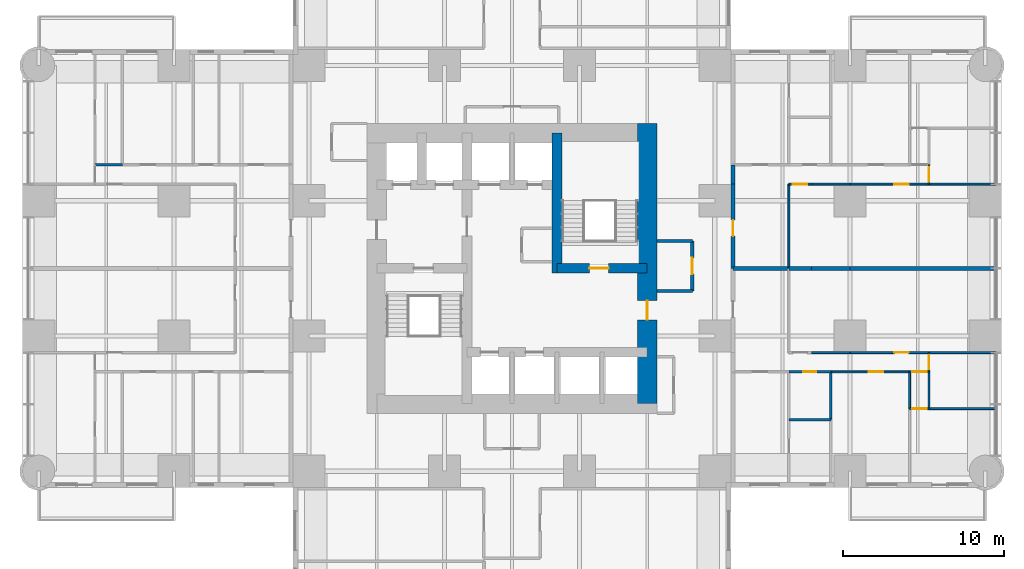
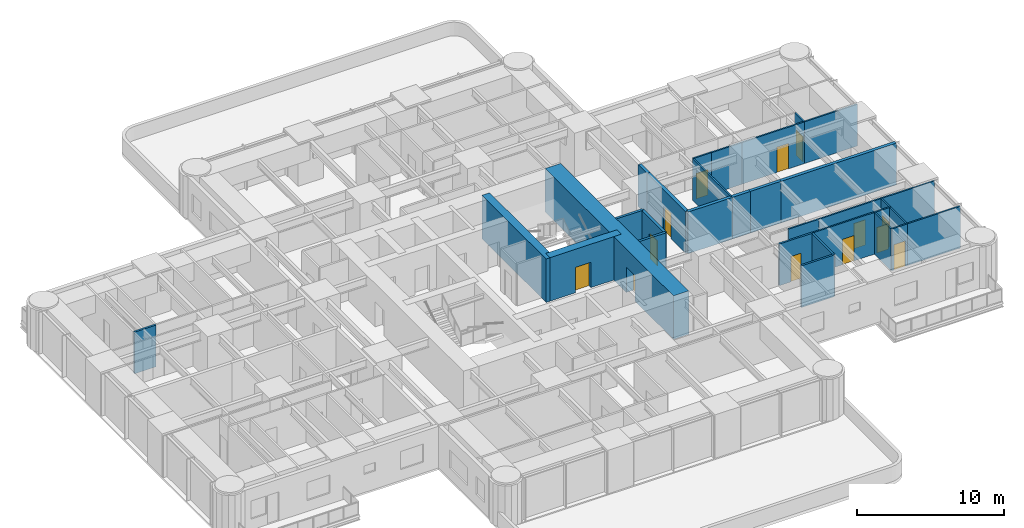
# One storey, part 9 of 14: 32 walls, 13 doors, 13 openings.
"""IFC4 building model written with IfcOpenShell, lengths in metres."""

import ifcopenshell
import ifcopenshell.guid

model = None  # the IFC model being written
_history = None  # IfcOwnerHistory: only IFC2X3 demands one
_inside = {}  # id of a spatial element -> (the spatial element, [elements in it])
_under = {}  # id of a project, library or spatial element -> (it, [spatial elements below it])
_declared = {}  # id of a project -> (the project, [libraries it declares])
_typed = {}  # id of a type object -> (the type object, [elements of that type])
_made_of = {}  # id of a material, layer set ... -> (it, [elements and type objects made of it])


def new_model(schema):
    """Start an empty IFC model of exactly this schema.

    Asked for "IFC4X3", IfcOpenShell would pick the latest addendum, in which some entities
    have other attributes; the version numbers below select the first issue.
    IFC2X3 requires an IfcOwnerHistory on every rooted entity: one is made here for all.
    """
    global model, _history
    if schema == "IFC4X3":
        model = ifcopenshell.file(schema_version=(4, 3, 0, 0))
    else:
        model = ifcopenshell.file(schema=schema)
    _inside.clear()
    _under.clear()
    _declared.clear()
    _typed.clear()
    _made_of.clear()
    _history = None
    if model.schema == "IFC2X3":
        org = make("IfcOrganization", Name="unknown")
        user = make(
            "IfcPersonAndOrganization",
            ThePerson=make("IfcPerson", FamilyName="unknown"),
            TheOrganization=org,
        )
        app = make(
            "IfcApplication",
            ApplicationDeveloper=org,
            Version="unknown",
            ApplicationFullName="unknown",
            ApplicationIdentifier="unknown",
        )
        _history = make(
            "IfcOwnerHistory",
            OwningUser=user,
            OwningApplication=app,
            ChangeAction="ADDED",
            CreationDate=0,
        )
    return model


def make(cls, **values):
    """One entity of the class cls with the attributes given. An attribute that is None is left unset."""
    return model.create_entity(
        cls, **{name: value for name, value in values.items() if value is not None}
    )


def rooted(cls, **values):
    """An entity with a GlobalId (a new one), such as an element, a storey or a relation."""
    return make(cls, GlobalId=ifcopenshell.guid.new(), OwnerHistory=_history, **values)


def si_unit(unit_type, name, prefix=None):
    """IfcSIUnit, for example si_unit("LENGTHUNIT", "METRE", prefix="MILLI")."""
    return make("IfcSIUnit", UnitType=unit_type, Prefix=prefix, Name=name)


def assignment(units):
    """IfcUnitAssignment: the units of a project."""
    return None if units is None else make("IfcUnitAssignment", Units=units)


def point(xyz):
    """IfcCartesianPoint."""
    return None if xyz is None else make("IfcCartesianPoint", Coordinates=xyz)


def direction(xyz):
    """IfcDirection."""
    return None if xyz is None else make("IfcDirection", DirectionRatios=xyz)


def frame(location, z_axis=None, x_axis=None):
    """IfcAxis2Placement3D, a coordinate frame: its origin and axes. An axis left out is left unset."""
    return make(
        "IfcAxis2Placement3D",
        Location=point(location),
        Axis=direction(z_axis),
        RefDirection=direction(x_axis),
    )


def frame_2d(location, x_axis=None):
    """IfcAxis2Placement2D, a coordinate frame in the plane: its origin and x axis."""
    return make(
        "IfcAxis2Placement2D", Location=point(location), RefDirection=direction(x_axis)
    )


def origin():
    """The frame at (0, 0, 0) with its axes left unset."""
    return frame((0.0, 0.0, 0.0))


def place(relative_to, where):
    """IfcLocalPlacement: puts the frame where relative to a parent placement (None: the world)."""
    return make(
        "IfcLocalPlacement", PlacementRelTo=relative_to, RelativePlacement=where
    )


def context(
    kind, dimensions, precision=None, world=None, true_north=None, identifier=None
):
    """IfcGeometricRepresentationContext, for example the 3D "Model" context."""
    return make(
        "IfcGeometricRepresentationContext",
        ContextIdentifier=identifier,
        ContextType=kind,
        CoordinateSpaceDimension=dimensions,
        Precision=precision,
        WorldCoordinateSystem=world,
        TrueNorth=true_north,
    )


def subcontext(parent, identifier, kind, view, scale=None):
    """IfcGeometricRepresentationSubContext, for example "Body" below "Model"."""
    return make(
        "IfcGeometricRepresentationSubContext",
        ContextIdentifier=identifier,
        ContextType=kind,
        ParentContext=parent,
        TargetScale=scale,
        TargetView=view,
    )


def project(units=None, contexts=None):
    """IfcProject with its units and contexts."""
    return rooted(
        "IfcProject",
        Name="project",
        RepresentationContexts=contexts,
        UnitsInContext=assignment(units),
    )


def spatial(cls, under=None, at=None, **own):
    """A site, building, storey or space (cls), placed at a placement, below another one or the project."""
    s = rooted(cls, ObjectPlacement=at, **own)
    if under is not None:
        _under.setdefault(under.id(), (under, []))[1].append(s)
    return s


def profile(cls, at=None, kind="AREA", **sizes):
    """A parametric profile (cls). Its sizes go by their IFC names, for example OverallWidth=200.0."""
    return make(cls, ProfileType=kind, Position=at, **sizes)


def rectangle(**sizes):
    """IfcRectangleProfileDef."""
    return profile("IfcRectangleProfileDef", **sizes)


def extrude(swept, where, along, depth):
    """IfcExtrudedAreaSolid: the profile swept, set in the frame where, extruded along a direction by depth."""
    return make(
        "IfcExtrudedAreaSolid",
        SweptArea=swept,
        Position=where,
        ExtrudedDirection=direction(along),
        Depth=depth,
    )


def shape(context_of_items, identifier, shape_type, items):
    """IfcShapeRepresentation: the items that make up one representation, for example the "Body"."""
    return make(
        "IfcShapeRepresentation",
        ContextOfItems=context_of_items,
        RepresentationIdentifier=identifier,
        RepresentationType=shape_type,
        Items=items,
    )


def material(Name=None, Category=None):
    """IfcMaterial."""
    return make("IfcMaterial", Name=Name, Category=Category)


def layer(
    of_material, thickness, ventilated=None, Name=None, Category=None, Priority=None
):
    """IfcMaterialLayer: one layer of a wall or slab, of a material (None: an air gap)."""
    return make(
        "IfcMaterialLayer",
        Material=of_material,
        LayerThickness=thickness,
        IsVentilated=ventilated,
        Name=Name,
        Category=Category,
        Priority=Priority,
    )


def layer_set(layers, Name=None):
    """IfcMaterialLayerSet."""
    return make("IfcMaterialLayerSet", MaterialLayers=layers, LayerSetName=Name)


def made_of(thing, what):
    """Note that an element or type object is made of a material, layer set ...; save() writes the relation."""
    if what is not None:
        _made_of.setdefault(what.id(), (what, []))[1].append(thing)
    return thing


def type_object(cls, material=None, **own):
    """A type object (cls), such as IfcWallType, which elements share."""
    return made_of(rooted(cls, **own), material)


def element(
    cls,
    number,
    at=None,
    inside=None,
    cuts=None,
    type_object=None,
    material=None,
    context=None,
    identifier="Body",
    shape_type=None,
    held_by="IfcProductDefinitionShape",
    body=None,
    shapes=None,
    **own,
):
    """One element of the class cls, such as IfcWall. Its Tag is "e" and its number.

    at: its placement. inside: the storey or other place that contains it. cuts: it is an
    opening in that element (IfcRelVoidsElement). A single representation is given by context,
    identifier, shape_type and body (its items); several are given by shapes. held_by: the class
    of the entity that holds the representations. save() writes the other relations.
    """
    e = rooted(cls, Tag="e%d" % number, ObjectPlacement=at, **own)
    if body is not None:
        shapes = [shape(context, identifier, shape_type, body)]
    if shapes is not None:
        e.Representation = make(held_by, Representations=shapes)
    if inside is not None:
        _inside.setdefault(inside.id(), (inside, []))[1].append(e)
    if cuts is not None:
        rooted(
            "IfcRelVoidsElement", RelatingBuildingElement=cuts, RelatedOpeningElement=e
        )
    if type_object is not None:
        _typed.setdefault(type_object.id(), (type_object, []))[1].append(e)
    return made_of(e, material)


def fill(opening, filler):
    """IfcRelFillsElement: the door or window that sits in an opening."""
    return rooted(
        "IfcRelFillsElement",
        RelatingOpeningElement=opening,
        RelatedBuildingElement=filler,
    )


def aggregate(whole, parts):
    """IfcRelAggregates: a whole, such as a stair, and the parts it consists of."""
    return rooted("IfcRelAggregates", RelatingObject=whole, RelatedObjects=parts)


def save(model, path):
    """Write the relations noted so far, then the file.

    IfcRelAggregates (storeys below a building ...), IfcRelContainedInSpatialStructure (elements
    in a storey), IfcRelDefinesByType, IfcRelAssociatesMaterial and IfcRelDeclares: one each for
    every whole, place, type object, material and project.
    """
    for whole, parts in _under.values():
        aggregate(whole, parts)
    for where, things in _inside.values():
        rooted(
            "IfcRelContainedInSpatialStructure",
            RelatedElements=things,
            RelatingStructure=where,
        )
    for kind, things in _typed.values():
        rooted("IfcRelDefinesByType", RelatedObjects=things, RelatingType=kind)
    for what, things in _made_of.values():
        rooted("IfcRelAssociatesMaterial", RelatedObjects=things, RelatingMaterial=what)
    for by, libraries in _declared.values():
        rooted("IfcRelDeclares", RelatingContext=by, RelatedDefinitions=libraries)
    model.write(path)


model = new_model("IFC4")

# Units and contexts
model_context = context("Model", 3, precision=1e-05, world=origin(), true_north=direction((0.0, 1.0)))
body_context = subcontext(model_context, "Body", "Model", "MODEL_VIEW")
ifc_project = project(units=[si_unit("LENGTHUNIT", "METRE"), si_unit("AREAUNIT", "SQUARE_METRE"), si_unit("VOLUMEUNIT", "CUBIC_METRE"), si_unit("PLANEANGLEUNIT", "RADIAN"), si_unit("MASSUNIT", "GRAM", prefix="KILO")], contexts=[model_context])

# Site, building, storey
site_placement = place(None, origin())
site = spatial("IfcSite", under=ifc_project, at=site_placement, CompositionType="ELEMENT")
building_placement = place(site_placement, origin())
building = spatial("IfcBuilding", under=site, at=building_placement, Name="Torre Alcanfor", CompositionType="ELEMENT")
storey_placement = place(building_placement, frame((0.0, 0.0, 108.89990234375)))
storey = spatial("IfcBuildingStorey", under=building, at=storey_placement, Name="L27", CompositionType="ELEMENT", Elevation=108.89990234375)

# Wall, opening, door
ifc_material_1 = material(Name="Concrete block masonry, hollow blocks NMX-C-404 9 MPa", Category="masonry")
ifc_layer_1 = layer(ifc_material_1, 0.25)
ifc_layer_set_1 = layer_set([ifc_layer_1], Name="Apartment entrance wall 250 EI 60")
wall_type_1 = type_object("IfcWallType", Name="Apartment entrance wall 250 EI 60", PredefinedType="PARTITIONING", material=ifc_layer_set_1)
wall_1_placement = place(storey_placement, frame((43.125, 34.62890625, 0.0), z_axis=(0.0, 0.0, 1.0), x_axis=(0.0, -1.0, 0.0)))
wall_1 = element("IfcWall", 1, at=wall_1_placement, inside=storey, type_object=wall_type_1, Name="Partition L27-CORR / L27-E1-ZAG", PredefinedType="PARTITIONING", context=body_context, shape_type="SweptSolid", body=[
    extrude(rectangle(XDim=5.22900390625, YDim=0.25, at=frame_2d((2.614501953125, 0.0))), origin(), (0.0, 0.0, 1.0), 3.4501953125),
])
opening_1_placement = place(wall_1_placement, frame((2.22900390625, 0.0, 0.0)))
opening_1 = element("IfcOpeningElement", 2, at=opening_1_placement, cuts=wall_1, Name="Opening D-A1", PredefinedType="OPENING", context=body_context, shape_type="SweptSolid", body=[
    extrude(rectangle(XDim=1.0, YDim=2.10009765625, at=frame_2d((0.5, 1.050048828125))), frame((0.0, 0.135009765625, 0.0), z_axis=(0.0, -1.0, 0.0), x_axis=(1.0, 0.0, 0.0)), (0.0, 0.0, 1.0), 0.27001953125),
])
ifc_material_2 = material(Name="Galvanised steel sheet ASTM A653", Category="steel")
door_type_1 = type_object("IfcDoorType", Name="Apartment entrance door FD60 1000x2100", OperationType="SINGLE_SWING_LEFT", PredefinedType="DOOR", material=ifc_material_2)
door_1_placement = place(opening_1_placement, origin())
door_1 = element("IfcDoor", 3, at=door_1_placement, inside=storey, type_object=door_type_1, Name="Apartment entrance L27-E1", OperationType="SINGLE_SWING_RIGHT", OverallHeight=2.10009765625, OverallWidth=1.0, PredefinedType="DOOR", context=body_context, shape_type="SweptSolid", body=[
    extrude(rectangle(XDim=1.0, YDim=2.10009765625, at=frame_2d((0.5, 1.050048828125))), frame((0.0, 0.02490234375, 0.0), z_axis=(0.0, -1.0, 0.0), x_axis=(1.0, 0.0, 0.0)), (0.0, 0.0, 1.0), 0.050048828125),
])
fill(opening_1, door_1)

# Walls
wall_2_placement = place(storey_placement, frame((43.125, 35.8291015625, 0.0), z_axis=(0.0, 0.0, 1.0), x_axis=(0.0, -1.0, 0.0)))
element("IfcWall", 4, at=wall_2_placement, inside=storey, type_object=wall_type_1, Name="Partition L27-CORR / L27-E1-HALL", PredefinedType="PARTITIONING", context=body_context, shape_type="SweptSolid", body=[
    extrude(rectangle(XDim=1.2001953125, YDim=0.25, at=frame_2d((0.60009765625, 0.0))), origin(), (0.0, 0.0, 1.0), 3.4501953125),
])
ifc_material_3 = material(Name="Gypsum board on steel studs", Category="steel")
ifc_layer_2 = layer(ifc_material_3, 0.1201171875)
ifc_layer_set_2 = layer_set([ifc_layer_2], Name="Apartment partition 120")
wall_type_2 = type_object("IfcWallType", Name="Apartment partition 120", PredefinedType="PARTITIONING", material=ifc_layer_set_2)
wall_3_placement = place(storey_placement, frame((46.60009765625, 29.39990234375, 0.0), z_axis=(0.0, 0.0, 1.0), x_axis=(0.0, 1.0, 0.0)))
element("IfcWall", 5, at=wall_3_placement, inside=storey, type_object=wall_type_2, Name="Partition L27-E1-ZAG / L27-E1-LAUND", PredefinedType="PARTITIONING", context=body_context, shape_type="SweptSolid", body=[
    extrude(rectangle(XDim=5.22900390625, YDim=0.1201171875, at=frame_2d((2.614501953125, 0.0))), origin(), (0.0, 0.0, 1.0), 3.4501953125),
])

# Wall, opening, door
wall_4_placement = place(storey_placement, frame((48.0, 34.62890625, 0.0), z_axis=(0.0, 0.0, 1.0), x_axis=(-1.0, 0.0, 0.0)))
wall_4 = element("IfcWall", 6, at=wall_4_placement, inside=storey, type_object=wall_type_2, Name="Partition L27-E1-LAUND / L27-E1-HALL", PredefinedType="PARTITIONING", context=body_context, shape_type="SweptSolid", body=[
    extrude(rectangle(XDim=1.39990234375, YDim=0.1201171875, at=frame_2d((0.699951171875, 0.0))), origin(), (0.0, 0.0, 1.0), 3.4501953125),
])
opening_2_placement = place(wall_4_placement, frame((0.25, 0.0, 0.0)))
opening_2 = element("IfcOpeningElement", 7, at=opening_2_placement, cuts=wall_4, Name="Opening D-R1", PredefinedType="OPENING", context=body_context, shape_type="SweptSolid", body=[
    extrude(rectangle(XDim=0.89990234375, YDim=2.10009765625, at=frame_2d((0.449951171875, 1.050048828125))), frame((0.0, 0.070068359375, 0.0), z_axis=(0.0, -1.0, 0.0), x_axis=(1.0, 0.0, 0.0)), (0.0, 0.0, 1.0), 0.14013671875),
])
ifc_material_4 = material(Name="Timber", Category="wood")
door_type_2 = type_object("IfcDoorType", Name="Internal door 900x2100", OperationType="SINGLE_SWING_LEFT", PredefinedType="DOOR", material=ifc_material_4)
door_2_placement = place(opening_2_placement, origin())
door_2 = element("IfcDoor", 8, at=door_2_placement, inside=storey, type_object=door_type_2, Name="Door L27-E1 laund", OperationType="SINGLE_SWING_LEFT", OverallHeight=2.10009765625, OverallWidth=0.89990234375, PredefinedType="DOOR", context=body_context, shape_type="SweptSolid", body=[
    extrude(rectangle(XDim=0.89990234375, YDim=2.10009765625, at=frame_2d((0.449951171875, 1.050048828125))), frame((0.0, 0.02490234375, 0.0), z_axis=(0.0, -1.0, 0.0), x_axis=(1.0, 0.0, 0.0)), (0.0, 0.0, 1.0), 0.050048828125),
])
fill(opening_2, door_2)

# Wall
wall_5_placement = place(storey_placement, frame((50.39990234375, 34.62890625, 0.0), z_axis=(0.0, 0.0, 1.0), x_axis=(-1.0, 0.0, 0.0)))
element("IfcWall", 9, at=wall_5_placement, inside=storey, type_object=wall_type_2, Name="Partition L27-E1-KITCHEN / L27-E1-HALL", PredefinedType="PARTITIONING", context=body_context, shape_type="SweptSolid", body=[
    extrude(rectangle(XDim=2.39990234375, YDim=0.1201171875, at=frame_2d((1.199951171875, 0.0))), origin(), (0.0, 0.0, 1.0), 3.4501953125),
])

# Wall, opening, door
wall_6_placement = place(storey_placement, frame((55.300048828125, 34.62890625, 0.0), z_axis=(0.0, 0.0, 1.0), x_axis=(-1.0, 0.0, 0.0)))
wall_6 = element("IfcWall", 10, at=wall_6_placement, inside=storey, type_object=wall_type_2, Name="Partition L27-E1-LIVING / L27-E1-HALL", PredefinedType="PARTITIONING", context=body_context, shape_type="SweptSolid", body=[
    extrude(rectangle(XDim=4.900146484375, YDim=0.1201171875, at=frame_2d((2.4501953125, 0.0))), origin(), (0.0, 0.0, 1.0), 3.4501953125),
])
opening_3_placement = place(wall_6_placement, frame((1.25, 0.0, 0.0)))
opening_3 = element("IfcOpeningElement", 11, at=opening_3_placement, cuts=wall_6, Name="Opening D-R1", PredefinedType="OPENING", context=body_context, shape_type="SweptSolid", body=[
    extrude(rectangle(XDim=0.89990234375, YDim=2.10009765625, at=frame_2d((0.449951171875, 1.050048828125))), frame((0.0, 0.070068359375, 0.0), z_axis=(0.0, -1.0, 0.0), x_axis=(1.0, 0.0, 0.0)), (0.0, 0.0, 1.0), 0.14013671875),
])
door_3_placement = place(opening_3_placement, origin())
door_3 = element("IfcDoor", 12, at=door_3_placement, inside=storey, type_object=door_type_2, Name="Door L27-E1 living", OperationType="SINGLE_SWING_RIGHT", OverallHeight=2.10009765625, OverallWidth=0.89990234375, PredefinedType="DOOR", context=body_context, shape_type="SweptSolid", body=[
    extrude(rectangle(XDim=0.89990234375, YDim=2.10009765625, at=frame_2d((0.449951171875, 1.050048828125))), frame((0.0, 0.02490234375, 0.0), z_axis=(0.0, -1.0, 0.0), x_axis=(1.0, 0.0, 0.0)), (0.0, 0.0, 1.0), 0.050048828125),
])
fill(opening_3, door_3)

# Wall
wall_7_placement = place(storey_placement, frame((59.449951171875, 34.62890625, 0.0), z_axis=(0.0, 0.0, 1.0), x_axis=(-1.0, 0.0, 0.0)))
element("IfcWall", 13, at=wall_7_placement, inside=storey, type_object=wall_type_2, Name="Partition L27-E1-LIVING / L27-E1-BED2", PredefinedType="PARTITIONING", context=body_context, shape_type="SweptSolid", body=[
    extrude(rectangle(XDim=4.14990234375, YDim=0.1201171875, at=frame_2d((2.074951171875, 0.0))), origin(), (0.0, 0.0, 1.0), 3.4501953125),
])

# Wall, opening, door
wall_8_placement = place(storey_placement, frame((55.300048828125, 34.62890625, 0.0), z_axis=(0.0, 0.0, 1.0), x_axis=(0.0, 1.0, 0.0)))
wall_8 = element("IfcWall", 14, at=wall_8_placement, inside=storey, type_object=wall_type_2, Name="Partition L27-E1-HALL / L27-E1-BED2", PredefinedType="PARTITIONING", context=body_context, shape_type="SweptSolid", body=[
    extrude(rectangle(XDim=1.2001953125, YDim=0.1201171875, at=frame_2d((0.60009765625, 0.0))), origin(), (0.0, 0.0, 1.0), 3.4501953125),
])
opening_4_placement = place(wall_8_placement, frame((0.15087890625, 0.0, 0.0)))
opening_4 = element("IfcOpeningElement", 15, at=opening_4_placement, cuts=wall_8, Name="Opening D-R1", PredefinedType="OPENING", context=body_context, shape_type="SweptSolid", body=[
    extrude(rectangle(XDim=0.89990234375, YDim=2.10009765625, at=frame_2d((0.449951171875, 1.050048828125))), frame((0.0, 0.070068359375, 0.0), z_axis=(0.0, -1.0, 0.0), x_axis=(1.0, 0.0, 0.0)), (0.0, 0.0, 1.0), 0.14013671875),
])
door_4_placement = place(opening_4_placement, frame((0.89990234375, 0.0, 0.0), z_axis=(0.0, 0.0, 1.0), x_axis=(-1.0, 0.0, 0.0)))
door_4 = element("IfcDoor", 16, at=door_4_placement, inside=storey, type_object=door_type_2, Name="Door L27-E1 bed2", OperationType="SINGLE_SWING_RIGHT", OverallHeight=2.10009765625, OverallWidth=0.89990234375, PredefinedType="DOOR", context=body_context, shape_type="SweptSolid", body=[
    extrude(rectangle(XDim=0.89990234375, YDim=2.10009765625, at=frame_2d((0.449951171875, 1.050048828125))), frame((0.0, 0.025146484375, 0.0), z_axis=(0.0, -1.0, 0.0), x_axis=(1.0, 0.0, 0.0)), (0.0, 0.0, 1.0), 0.050048828125),
])
fill(opening_4, door_4)

# Wall
wall_9_placement = place(storey_placement, frame((50.39990234375, 24.1708984375, 0.0), z_axis=(0.0, 0.0, 1.0), x_axis=(-1.0, 0.0, 0.0)))
element("IfcWall", 17, at=wall_9_placement, inside=storey, type_object=wall_type_2, Name="Partition L27-E2-KITCHEN / L27-E2-HALL", PredefinedType="PARTITIONING", context=body_context, shape_type="SweptSolid", body=[
    extrude(rectangle(XDim=2.39990234375, YDim=0.1201171875, at=frame_2d((1.199951171875, 0.0))), origin(), (0.0, 0.0, 1.0), 3.4501953125),
])

# Wall, opening, door
wall_10_placement = place(storey_placement, frame((55.300048828125, 24.1708984375, 0.0), z_axis=(0.0, 0.0, 1.0), x_axis=(-1.0, 0.0, 0.0)))
wall_10 = element("IfcWall", 18, at=wall_10_placement, inside=storey, type_object=wall_type_2, Name="Partition L27-E2-LIVING / L27-E2-HALL", PredefinedType="PARTITIONING", context=body_context, shape_type="SweptSolid", body=[
    extrude(rectangle(XDim=4.900146484375, YDim=0.1201171875, at=frame_2d((2.4501953125, 0.0))), origin(), (0.0, 0.0, 1.0), 3.4501953125),
])
opening_5_placement = place(wall_10_placement, frame((1.25, 0.0, 0.0)))
opening_5 = element("IfcOpeningElement", 19, at=opening_5_placement, cuts=wall_10, Name="Opening D-R1", PredefinedType="OPENING", context=body_context, shape_type="SweptSolid", body=[
    extrude(rectangle(XDim=0.89990234375, YDim=2.10009765625, at=frame_2d((0.449951171875, 1.050048828125))), frame((0.0, 0.070068359375, 0.0), z_axis=(0.0, -1.0, 0.0), x_axis=(1.0, 0.0, 0.0)), (0.0, 0.0, 1.0), 0.14013671875),
])
door_5_placement = place(opening_5_placement, frame((0.89990234375, 0.0, 0.0), z_axis=(0.0, 0.0, 1.0), x_axis=(-1.0, 0.0, 0.0)))
door_5 = element("IfcDoor", 20, at=door_5_placement, inside=storey, type_object=door_type_2, Name="Door L27-E2 living", OperationType="SINGLE_SWING_LEFT", OverallHeight=2.10009765625, OverallWidth=0.89990234375, PredefinedType="DOOR", context=body_context, shape_type="SweptSolid", body=[
    extrude(rectangle(XDim=0.89990234375, YDim=2.10009765625, at=frame_2d((0.449951171875, 1.050048828125))), frame((0.0, 0.025146484375, 0.0), z_axis=(0.0, -1.0, 0.0), x_axis=(1.0, 0.0, 0.0)), (0.0, 0.0, 1.0), 0.050048828125),
])
fill(opening_5, door_5)

# Wall
wall_11_placement = place(storey_placement, frame((59.449951171875, 24.1708984375, 0.0), z_axis=(0.0, 0.0, 1.0), x_axis=(-1.0, 0.0, 0.0)))
element("IfcWall", 21, at=wall_11_placement, inside=storey, type_object=wall_type_2, Name="Partition L27-E2-LIVING / L27-E2-BED2", PredefinedType="PARTITIONING", context=body_context, shape_type="SweptSolid", body=[
    extrude(rectangle(XDim=4.14990234375, YDim=0.1201171875, at=frame_2d((2.074951171875, 0.0))), origin(), (0.0, 0.0, 1.0), 3.4501953125),
])

# Wall, opening, door
wall_12_placement = place(storey_placement, frame((54.10009765625, 22.970947265625, 0.0), z_axis=(0.0, 0.0, 1.0), x_axis=(-1.0, 0.0, 0.0)))
wall_12 = element("IfcWall", 22, at=wall_12_placement, inside=storey, type_object=wall_type_2, Name="Partition L27-E2-HALL / L27-E2-BED3", PredefinedType="PARTITIONING", context=body_context, shape_type="SweptSolid", body=[
    extrude(rectangle(XDim=4.900146484375, YDim=0.1201171875, at=frame_2d((2.4501953125, 0.0))), origin(), (0.0, 0.0, 1.0), 3.4501953125),
])
opening_6_placement = place(wall_12_placement, frame((1.64990234375, 0.0, 0.0)))
opening_6 = element("IfcOpeningElement", 23, at=opening_6_placement, cuts=wall_12, Name="Opening D-R1", PredefinedType="OPENING", context=body_context, shape_type="SweptSolid", body=[
    extrude(rectangle(XDim=0.89990234375, YDim=2.10009765625, at=frame_2d((0.449951171875, 1.050048828125))), frame((0.0, 0.070068359375, 0.0), z_axis=(0.0, -1.0, 0.0), x_axis=(1.0, 0.0, 0.0)), (0.0, 0.0, 1.0), 0.14013671875),
])
door_6_placement = place(opening_6_placement, origin())
door_6 = element("IfcDoor", 24, at=door_6_placement, inside=storey, type_object=door_type_2, Name="Door L27-E2 bed3", OperationType="SINGLE_SWING_LEFT", OverallHeight=2.10009765625, OverallWidth=0.89990234375, PredefinedType="DOOR", context=body_context, shape_type="SweptSolid", body=[
    extrude(rectangle(XDim=0.89990234375, YDim=2.10009765625, at=frame_2d((0.449951171875, 1.050048828125))), frame((0.0, 0.02490234375, 0.0), z_axis=(0.0, -1.0, 0.0), x_axis=(1.0, 0.0, 0.0)), (0.0, 0.0, 1.0), 0.050048828125),
])
fill(opening_6, door_6)

wall_13_placement = place(storey_placement, frame((55.300048828125, 22.970947265625, 0.0), z_axis=(0.0, 0.0, 1.0), x_axis=(-1.0, 0.0, 0.0)))
wall_13 = element("IfcWall", 25, at=wall_13_placement, inside=storey, type_object=wall_type_2, Name="Partition L27-E2-HALL / L27-E2-VEST", PredefinedType="PARTITIONING", context=body_context, shape_type="SweptSolid", body=[
    extrude(rectangle(XDim=1.199951171875, YDim=0.1201171875, at=frame_2d((0.60009765625, 0.0))), origin(), (0.0, 0.0, 1.0), 3.4501953125),
])
opening_7_placement = place(wall_13_placement, frame((0.14990234375, 0.0, 0.0)))
opening_7 = element("IfcOpeningElement", 26, at=opening_7_placement, cuts=wall_13, Name="Opening D-R1", PredefinedType="OPENING", context=body_context, shape_type="SweptSolid", body=[
    extrude(rectangle(XDim=0.89990234375, YDim=2.10009765625, at=frame_2d((0.449951171875, 1.050048828125))), frame((0.0, 0.070068359375, 0.0), z_axis=(0.0, -1.0, 0.0), x_axis=(1.0, 0.0, 0.0)), (0.0, 0.0, 1.0), 0.14013671875),
])
door_7_placement = place(opening_7_placement, origin())
door_7 = element("IfcDoor", 27, at=door_7_placement, inside=storey, type_object=door_type_2, Name="Door L27-E2 vest", OperationType="SINGLE_SWING_LEFT", OverallHeight=2.10009765625, OverallWidth=0.89990234375, PredefinedType="DOOR", context=body_context, shape_type="SweptSolid", body=[
    extrude(rectangle(XDim=0.89990234375, YDim=2.10009765625, at=frame_2d((0.449951171875, 1.050048828125))), frame((0.0, 0.02490234375, 0.0), z_axis=(0.0, -1.0, 0.0), x_axis=(1.0, 0.0, 0.0)), (0.0, 0.0, 1.0), 0.050048828125),
])
fill(opening_7, door_7)

wall_14_placement = place(storey_placement, frame((55.300048828125, 24.1708984375, 0.0), z_axis=(0.0, 0.0, 1.0), x_axis=(0.0, -1.0, 0.0)))
wall_14 = element("IfcWall", 28, at=wall_14_placement, inside=storey, type_object=wall_type_2, Name="Partition L27-E2-HALL / L27-E2-BED2", PredefinedType="PARTITIONING", context=body_context, shape_type="SweptSolid", body=[
    extrude(rectangle(XDim=1.199951171875, YDim=0.1201171875, at=frame_2d((0.60009765625, 0.0))), origin(), (0.0, 0.0, 1.0), 3.4501953125),
])
opening_8_placement = place(wall_14_placement, frame((0.15087890625, 0.0, 0.0)))
opening_8 = element("IfcOpeningElement", 29, at=opening_8_placement, cuts=wall_14, Name="Opening D-R1", PredefinedType="OPENING", context=body_context, shape_type="SweptSolid", body=[
    extrude(rectangle(XDim=0.89990234375, YDim=2.10009765625, at=frame_2d((0.449951171875, 1.050048828125))), frame((0.0, 0.070068359375, 0.0), z_axis=(0.0, -1.0, 0.0), x_axis=(1.0, 0.0, 0.0)), (0.0, 0.0, 1.0), 0.14013671875),
])
door_8_placement = place(opening_8_placement, origin())
door_8 = element("IfcDoor", 30, at=door_8_placement, inside=storey, type_object=door_type_2, Name="Door L27-E2 bed2", OperationType="SINGLE_SWING_LEFT", OverallHeight=2.10009765625, OverallWidth=0.89990234375, PredefinedType="DOOR", context=body_context, shape_type="SweptSolid", body=[
    extrude(rectangle(XDim=0.89990234375, YDim=2.10009765625, at=frame_2d((0.449951171875, 1.050048828125))), frame((0.0, 0.02490234375, 0.0), z_axis=(0.0, -1.0, 0.0), x_axis=(1.0, 0.0, 0.0)), (0.0, 0.0, 1.0), 0.050048828125),
])
fill(opening_8, door_8)

# Walls
for number, where, z_axis, x_axis, name in (
    (31, (54.10009765625, 22.970947265625, 0.0), (0.0, 0.0, 1.0), (0.0, -1.0, 0.0), "Partition L27-E2-BED3 / L27-E2-VEST"),
    (32, (55.300048828125, 22.970947265625, 0.0), (0.0, 0.0, 1.0), (0.0, -1.0, 0.0), "Partition L27-E2-VEST / L27-E2-BED2"),
):
    element("IfcWall", number, at=place(storey_placement, frame(where, z_axis=z_axis, x_axis=x_axis)), inside=storey, type_object=wall_type_2, Name=name, PredefinedType="PARTITIONING", context=body_context, shape_type="SweptSolid", body=[
        extrude(rectangle(XDim=2.284912109375, YDim=0.1201171875, at=frame_2d((1.142578125, 0.0))), origin(), (0.0, 0.0, 1.0), 3.4501953125),
    ])

# Wall, opening, door
wall_15_placement = place(storey_placement, frame((55.300048828125, 20.68603515625, 0.0), z_axis=(0.0, 0.0, 1.0), x_axis=(-1.0, 0.0, 0.0)))
wall_15 = element("IfcWall", 33, at=wall_15_placement, inside=storey, type_object=wall_type_2, Name="Partition L27-E2-VEST / L27-E2-MASTER", PredefinedType="PARTITIONING", context=body_context, shape_type="SweptSolid", body=[
    extrude(rectangle(XDim=1.199951171875, YDim=0.1201171875, at=frame_2d((0.60009765625, 0.0))), origin(), (0.0, 0.0, 1.0), 3.4501953125),
])
opening_9_placement = place(wall_15_placement, frame((0.14990234375, 0.0, 0.0)))
opening_9 = element("IfcOpeningElement", 34, at=opening_9_placement, cuts=wall_15, Name="Opening D-R1", PredefinedType="OPENING", context=body_context, shape_type="SweptSolid", body=[
    extrude(rectangle(XDim=0.89990234375, YDim=2.10009765625, at=frame_2d((0.449951171875, 1.050048828125))), frame((0.0, 0.070068359375, 0.0), z_axis=(0.0, -1.0, 0.0), x_axis=(1.0, 0.0, 0.0)), (0.0, 0.0, 1.0), 0.14013671875),
])
door_9_placement = place(opening_9_placement, frame((0.89990234375, 0.0, 0.0), z_axis=(0.0, 0.0, 1.0), x_axis=(-1.0, 0.0, 0.0)))
door_9 = element("IfcDoor", 35, at=door_9_placement, inside=storey, type_object=door_type_2, Name="Door L27-E2 master", OperationType="SINGLE_SWING_RIGHT", OverallHeight=2.10009765625, OverallWidth=0.89990234375, PredefinedType="DOOR", context=body_context, shape_type="SweptSolid", body=[
    extrude(rectangle(XDim=0.89990234375, YDim=2.10009765625, at=frame_2d((0.449951171875, 1.050048828125))), frame((0.0, 0.025146484375, 0.0), z_axis=(0.0, -1.0, 0.0), x_axis=(1.0, 0.0, 0.0)), (0.0, 0.0, 1.0), 0.050048828125),
])
fill(opening_9, door_9)

# Walls
wall_16_placement = place(storey_placement, frame((59.449951171875, 20.68603515625, 0.0), z_axis=(0.0, 0.0, 1.0), x_axis=(-1.0, 0.0, 0.0)))
element("IfcWall", 36, at=wall_16_placement, inside=storey, type_object=wall_type_2, Name="Partition L27-E2-BED2 / L27-E2-MASTER", PredefinedType="PARTITIONING", context=body_context, shape_type="SweptSolid", body=[
    extrude(rectangle(XDim=4.14990234375, YDim=0.1201171875, at=frame_2d((2.074951171875, 0.0))), origin(), (0.0, 0.0, 1.0), 3.4501953125),
])
ifc_material_5 = material(Name="Concrete f'c 70 MPa", Category="concrete")
ifc_layer_3 = layer(ifc_material_5, 0.60009765625)
ifc_layer_set_3 = layer_set([ifc_layer_3], Name="Core inner wall 600 f'c70")
wall_type_3 = type_object("IfcWallType", Name="Core inner wall 600 f'c70", PredefinedType="SHEAR", material=ifc_layer_set_3)
wall_17_placement = place(storey_placement, frame((32.199951171875, 29.10009765625, 0.0), z_axis=(0.0, 0.0, 1.0), x_axis=(0.0, 1.0, 0.0)))
element("IfcWall", 37, at=wall_17_placement, inside=storey, type_object=wall_type_3, Name="Core wall X322N L27", PredefinedType="SHEAR", context=body_context, shape_type="SweptSolid", body=[
    extrude(rectangle(XDim=8.699951171875, YDim=0.60009765625, at=frame_2d((4.35009765625, 0.0))), origin(), (0.0, 0.0, 1.0), 3.60009765625),
])

# Wall, opening, door
wall_18_placement = place(storey_placement, frame((32.199951171875, 29.39990234375, 0.0), z_axis=(0.0, 0.0, 1.0), x_axis=(1.0, 0.0, 0.0)))
wall_18 = element("IfcWall", 38, at=wall_18_placement, inside=storey, type_object=wall_type_3, Name="Core wall Y294E L27", PredefinedType="SHEAR", context=body_context, shape_type="SweptSolid", body=[
    extrude(rectangle(XDim=5.60009765625, YDim=0.60009765625, at=frame_2d((2.800048828125, 0.0))), origin(), (0.0, 0.0, 1.0), 3.60009765625),
])
opening_10_placement = place(wall_18_placement, frame((2.0, 0.0, 0.0)))
opening_10 = element("IfcOpeningElement", 39, at=opening_10_placement, cuts=wall_18, Name="Opening D-S2", PredefinedType="OPENING", context=body_context, shape_type="SweptSolid", body=[
    extrude(rectangle(XDim=1.199951171875, YDim=2.10009765625, at=frame_2d((0.60009765625, 1.050048828125))), frame((0.0, 0.31005859375, 0.0), z_axis=(0.0, -1.0, 0.0), x_axis=(1.0, 0.0, 0.0)), (0.0, 0.0, 1.0), 0.6201171875),
])
ifc_material_6 = material(Name="Galvanised steel sheet ASTM A653", Category="steel")
door_type_3 = type_object("IfcDoorType", Name="Stair enclosure door FD120 1200x2100", OperationType="SINGLE_SWING_LEFT", PredefinedType="DOOR", material=ifc_material_6)
door_10_placement = place(opening_10_placement, origin())
door_10 = element("IfcDoor", 40, at=door_10_placement, inside=storey, type_object=door_type_3, Name="Stair S2 door L27", OperationType="SINGLE_SWING_LEFT", OverallHeight=2.10009765625, OverallWidth=1.199951171875, PredefinedType="DOOR", context=body_context, shape_type="SweptSolid", body=[
    extrude(rectangle(XDim=1.199951171875, YDim=2.10009765625, at=frame_2d((0.60009765625, 1.050048828125))), frame((0.0, 0.02490234375, 0.0), z_axis=(0.0, -1.0, 0.0), x_axis=(1.0, 0.0, 0.0)), (0.0, 0.0, 1.0), 0.050048828125),
])
fill(opening_10, door_10)

ifc_material_7 = material(Name="Concrete f'c 70 MPa", Category="concrete")
ifc_layer_4 = layer(ifc_material_7, 1.199951171875)
ifc_layer_set_4 = layer_set([ifc_layer_4], Name="Core wall 1200 f'c70")
wall_type_4 = type_object("IfcWallType", Name="Core wall 1200 f'c70", PredefinedType="SHEAR", material=ifc_layer_set_4)
wall_19_placement = place(storey_placement, frame((37.800048828125, 21.0, 0.0), z_axis=(0.0, 0.0, 1.0), x_axis=(0.0, 1.0, 0.0)))
wall_19 = element("IfcWall", 41, at=wall_19_placement, inside=storey, type_object=wall_type_4, Name="Core wall OUT-E L27", PredefinedType="SHEAR", context=body_context, shape_type="SweptSolid", body=[
    extrude(rectangle(XDim=17.39990234375, YDim=1.199951171875, at=frame_2d((8.699951171875, 0.0))), origin(), (0.0, 0.0, 1.0), 3.60009765625),
])
opening_11_placement = place(wall_19_placement, frame((5.199951171875, 0.0, 0.0)))
opening_11 = element("IfcOpeningElement", 42, at=opening_11_placement, cuts=wall_19, Name="Opening D-L1", PredefinedType="OPENING", context=body_context, shape_type="SweptSolid", body=[
    extrude(rectangle(XDim=1.199951171875, YDim=2.10009765625, at=frame_2d((0.60009765625, 1.050048828125))), frame((0.0, 0.60986328125, 0.0), z_axis=(0.0, -1.0, 0.0), x_axis=(1.0, 0.0, 0.0)), (0.0, 0.0, 1.0), 1.219970703125),
])
ifc_material_8 = material(Name="Galvanised steel sheet ASTM A653", Category="steel")
door_type_4 = type_object("IfcDoorType", Name="Lobby door FD120 1200x2100", OperationType="SINGLE_SWING_LEFT", PredefinedType="DOOR", material=ifc_material_8)
door_11_placement = place(opening_11_placement, origin())
door_11 = element("IfcDoor", 43, at=door_11_placement, inside=storey, type_object=door_type_4, Name="Lift lobby entrance door L27", OperationType="SINGLE_SWING_LEFT", OverallHeight=2.10009765625, OverallWidth=1.199951171875, PredefinedType="DOOR", context=body_context, shape_type="SweptSolid", body=[
    extrude(rectangle(XDim=1.199951171875, YDim=2.10009765625, at=frame_2d((0.60009765625, 1.050048828125))), frame((0.0, 0.02490234375, 0.0), z_axis=(0.0, -1.0, 0.0), x_axis=(1.0, 0.0, 0.0)), (0.0, 0.0, 1.0), 0.050048828125),
])
fill(opening_11, door_11)

# Walls
ifc_material_9 = material(Name="Concrete block masonry, hollow blocks NMX-C-404 9 MPa", Category="masonry")
ifc_layer_5 = layer(ifc_material_9, 0.25)
ifc_layer_set_5 = layer_set([ifc_layer_5], Name="Party wall 250 EI 60")
wall_type_5 = type_object("IfcWallType", Name="Party wall 250 EI 60", PredefinedType="PARTITIONING", material=ifc_layer_set_5)
wall_20_placement = place(storey_placement, frame((43.125, 29.39990234375, 0.0), z_axis=(0.0, 0.0, 1.0), x_axis=(1.0, 0.0, 0.0)))
element("IfcWall", 44, at=wall_20_placement, inside=storey, type_object=wall_type_5, Name="Partition L27-E1-ZAG / L27-E2-ZAG", PredefinedType="PARTITIONING", context=body_context, shape_type="SweptSolid", body=[
    extrude(rectangle(XDim=3.47509765625, YDim=0.25, at=frame_2d((1.737548828125, 0.0))), origin(), (0.0, 0.0, 1.0), 3.4501953125),
])
wall_21_placement = place(storey_placement, frame((46.60009765625, 29.39990234375, 0.0), z_axis=(0.0, 0.0, 1.0), x_axis=(1.0, 0.0, 0.0)))
element("IfcWall", 45, at=wall_21_placement, inside=storey, type_object=wall_type_5, Name="Partition L27-E1-LAUND / L27-E2-LAUND", PredefinedType="PARTITIONING", context=body_context, shape_type="SweptSolid", body=[
    extrude(rectangle(XDim=1.39990234375, YDim=0.25, at=frame_2d((0.699951171875, 0.0))), origin(), (0.0, 0.0, 1.0), 3.4501953125),
])
wall_22_placement = place(storey_placement, frame((48.0, 29.39990234375, 0.0), z_axis=(0.0, 0.0, 1.0), x_axis=(1.0, 0.0, 0.0)))
element("IfcWall", 46, at=wall_22_placement, inside=storey, type_object=wall_type_5, Name="Partition L27-E1-KITCHEN / L27-E2-KITCHEN", PredefinedType="PARTITIONING", context=body_context, shape_type="SweptSolid", body=[
    extrude(rectangle(XDim=2.39990234375, YDim=0.25, at=frame_2d((1.199951171875, 0.0))), origin(), (0.0, 0.0, 1.0), 3.4501953125),
])
wall_23_placement = place(storey_placement, frame((50.39990234375, 29.39990234375, 0.0), z_axis=(0.0, 0.0, 1.0), x_axis=(1.0, 0.0, 0.0)))
element("IfcWall", 47, at=wall_23_placement, inside=storey, type_object=wall_type_5, Name="Partition L27-E1-LIVING / L27-E2-LIVING", PredefinedType="PARTITIONING", context=body_context, shape_type="SweptSolid", body=[
    extrude(rectangle(XDim=9.050048828125, YDim=0.25, at=frame_2d((4.52490234375, 0.0))), origin(), (0.0, 0.0, 1.0), 3.4501953125),
])
ifc_material_10 = material(Name="Concrete block masonry, hollow blocks NMX-C-404 9 MPa", Category="masonry")
ifc_layer_6 = layer(ifc_material_10, 0.199951171875)
ifc_layer_set_6 = layer_set([ifc_layer_6], Name="Plant room wall 200 EI 60")
wall_type_6 = type_object("IfcWallType", Name="Plant room wall 200 EI 60", PredefinedType="PARTITIONING", material=ifc_layer_set_6)
wall_24_placement = place(storey_placement, frame((38.39990234375, 28.0, 0.0), z_axis=(0.0, 0.0, 1.0), x_axis=(1.0, 0.0, 0.0)))
element("IfcWall", 48, at=wall_24_placement, inside=storey, type_object=wall_type_6, Name="Partition L27-CORR / L27-G03", PredefinedType="PARTITIONING", context=body_context, shape_type="SweptSolid", body=[
    extrude(rectangle(XDim=2.2001953125, YDim=0.199951171875, at=frame_2d((1.10009765625, 0.0))), origin(), (0.0, 0.0, 1.0), 3.4501953125),
])

# Wall, opening, door
wall_25_placement = place(storey_placement, frame((40.60009765625, 28.0, 0.0), z_axis=(0.0, 0.0, 1.0), x_axis=(0.0, 1.0, 0.0)))
wall_25 = element("IfcWall", 49, at=wall_25_placement, inside=storey, type_object=wall_type_6, Name="Partition L27-CORR / L27-G03", PredefinedType="PARTITIONING", context=body_context, shape_type="SweptSolid", body=[
    extrude(rectangle(XDim=3.10009765625, YDim=0.199951171875, at=frame_2d((1.550048828125, 0.0))), origin(), (0.0, 0.0, 1.0), 3.4501953125),
])
opening_12_placement = place(wall_25_placement, frame((1.050048828125, 0.0, 0.0)))
opening_12 = element("IfcOpeningElement", 50, at=opening_12_placement, cuts=wall_25, Name="Opening D-K1", PredefinedType="OPENING", context=body_context, shape_type="SweptSolid", body=[
    extrude(rectangle(XDim=1.0, YDim=2.10009765625, at=frame_2d((0.5, 1.050048828125))), frame((0.0, 0.10986328125, 0.0), z_axis=(0.0, -1.0, 0.0), x_axis=(1.0, 0.0, 0.0)), (0.0, 0.0, 1.0), 0.219970703125),
])
ifc_material_11 = material(Name="Galvanised steel sheet ASTM A653", Category="steel")
door_type_5 = type_object("IfcDoorType", Name="Core room door FD60 1000x2100", OperationType="SINGLE_SWING_LEFT", PredefinedType="DOOR", material=ifc_material_11)
door_12_placement = place(opening_12_placement, origin())
door_12 = element("IfcDoor", 51, at=door_12_placement, inside=storey, type_object=door_type_5, Name="Door L27-G03 refuse and recycling store", OperationType="SINGLE_SWING_LEFT", OverallHeight=2.10009765625, OverallWidth=1.0, PredefinedType="DOOR", context=body_context, shape_type="SweptSolid", body=[
    extrude(rectangle(XDim=1.0, YDim=2.10009765625, at=frame_2d((0.5, 1.050048828125))), frame((0.0, 0.02490234375, 0.0), z_axis=(0.0, -1.0, 0.0), x_axis=(1.0, 0.0, 0.0)), (0.0, 0.0, 1.0), 0.050048828125),
])
fill(opening_12, door_12)

# Wall
wall_26_placement = place(storey_placement, frame((40.60009765625, 31.10009765625, 0.0), z_axis=(0.0, 0.0, 1.0), x_axis=(-1.0, 0.0, 0.0)))
element("IfcWall", 52, at=wall_26_placement, inside=storey, type_object=wall_type_6, Name="Partition L27-CORR / L27-G03", PredefinedType="PARTITIONING", context=body_context, shape_type="SweptSolid", body=[
    extrude(rectangle(XDim=2.2001953125, YDim=0.199951171875, at=frame_2d((1.10009765625, 0.0))), origin(), (0.0, 0.0, 1.0), 3.4501953125),
])

# Wall, opening, door
ifc_material_12 = material(Name="Cement board on steel studs", Category="steel")
ifc_layer_7 = layer(ifc_material_12, 0.14990234375)
ifc_layer_set_7 = layer_set([ifc_layer_7], Name="Wet area partition 150")
wall_type_7 = type_object("IfcWallType", Name="Wet area partition 150", PredefinedType="PARTITIONING", material=ifc_layer_set_7)
wall_27_placement = place(storey_placement, frame((49.199951171875, 22.970947265625, 0.0), z_axis=(0.0, 0.0, 1.0), x_axis=(-1.0, 0.0, 0.0)))
wall_27 = element("IfcWall", 53, at=wall_27_placement, inside=storey, type_object=wall_type_7, Name="Partition L27-E2-HALL / L27-E2-BATH1", PredefinedType="PARTITIONING", context=body_context, shape_type="SweptSolid", body=[
    extrude(rectangle(XDim=2.599853515625, YDim=0.14990234375, at=frame_2d((1.2998046875, 0.0))), origin(), (0.0, 0.0, 1.0), 3.4501953125),
])
opening_13_placement = place(wall_27_placement, frame((0.89990234375, 0.0, 0.0)))
opening_13 = element("IfcOpeningElement", 54, at=opening_13_placement, cuts=wall_27, Name="Opening D-R2", PredefinedType="OPENING", context=body_context, shape_type="SweptSolid", body=[
    extrude(rectangle(XDim=0.800048828125, YDim=2.10009765625, at=frame_2d((0.39990234375, 1.050048828125))), frame((0.0, 0.0849609375, 0.0), z_axis=(0.0, -1.0, 0.0), x_axis=(1.0, 0.0, 0.0)), (0.0, 0.0, 1.0), 0.169921875),
])
ifc_material_13 = material(Name="Timber", Category="wood")
door_type_6 = type_object("IfcDoorType", Name="Bathroom door 800x2100", OperationType="SINGLE_SWING_LEFT", PredefinedType="DOOR", material=ifc_material_13)
door_13_placement = place(opening_13_placement, origin())
door_13 = element("IfcDoor", 55, at=door_13_placement, inside=storey, type_object=door_type_6, Name="Door L27-E2 bath1", OperationType="SINGLE_SWING_LEFT", OverallHeight=2.10009765625, OverallWidth=0.800048828125, PredefinedType="DOOR", context=body_context, shape_type="SweptSolid", body=[
    extrude(rectangle(XDim=0.800048828125, YDim=2.10009765625, at=frame_2d((0.39990234375, 1.050048828125))), frame((0.0, 0.02490234375, 0.0), z_axis=(0.0, -1.0, 0.0), x_axis=(1.0, 0.0, 0.0)), (0.0, 0.0, 1.0), 0.050048828125),
])
fill(opening_13, door_13)

# Walls
wall_28_placement = place(storey_placement, frame((49.199951171875, 20.0, 0.0), z_axis=(0.0, 0.0, 1.0), x_axis=(-1.0, 0.0, 0.0)))
element("IfcWall", 56, at=wall_28_placement, inside=storey, type_object=wall_type_7, Name="Partition L27-E2-BATH1 / L27-E2-SBATH", PredefinedType="PARTITIONING", context=body_context, shape_type="SweptSolid", body=[
    extrude(rectangle(XDim=2.599853515625, YDim=0.14990234375, at=frame_2d((1.2998046875, 0.0))), origin(), (0.0, 0.0, 1.0), 3.4501953125),
])
wall_29_placement = place(storey_placement, frame((49.199951171875, 22.970947265625, 0.0), z_axis=(0.0, 0.0, 1.0), x_axis=(0.0, -1.0, 0.0)))
element("IfcWall", 57, at=wall_29_placement, inside=storey, type_object=wall_type_7, Name="Partition L27-E2-BATH1 / L27-E2-BED3", PredefinedType="PARTITIONING", context=body_context, shape_type="SweptSolid", body=[
    extrude(rectangle(XDim=2.970947265625, YDim=0.14990234375, at=frame_2d((1.4853515625, 0.0))), origin(), (0.0, 0.0, 1.0), 3.4501953125),
])
wall_30_placement = place(storey_placement, frame((3.5, 35.8291015625, 0.0), z_axis=(0.0, 0.0, 1.0), x_axis=(1.0, 0.0, 0.0)))
element("IfcWall", 58, at=wall_30_placement, inside=storey, type_object=wall_type_7, Name="Partition L27-W2-HALL / L27-W2-ENSBATH", PredefinedType="PARTITIONING", context=body_context, shape_type="SweptSolid", body=[
    extrude(rectangle(XDim=1.699951171875, YDim=0.14990234375, at=frame_2d((0.85009765625, 0.0))), origin(), (0.0, 0.0, 1.0), 3.4501953125),
])

save(model, "model.ifc")
